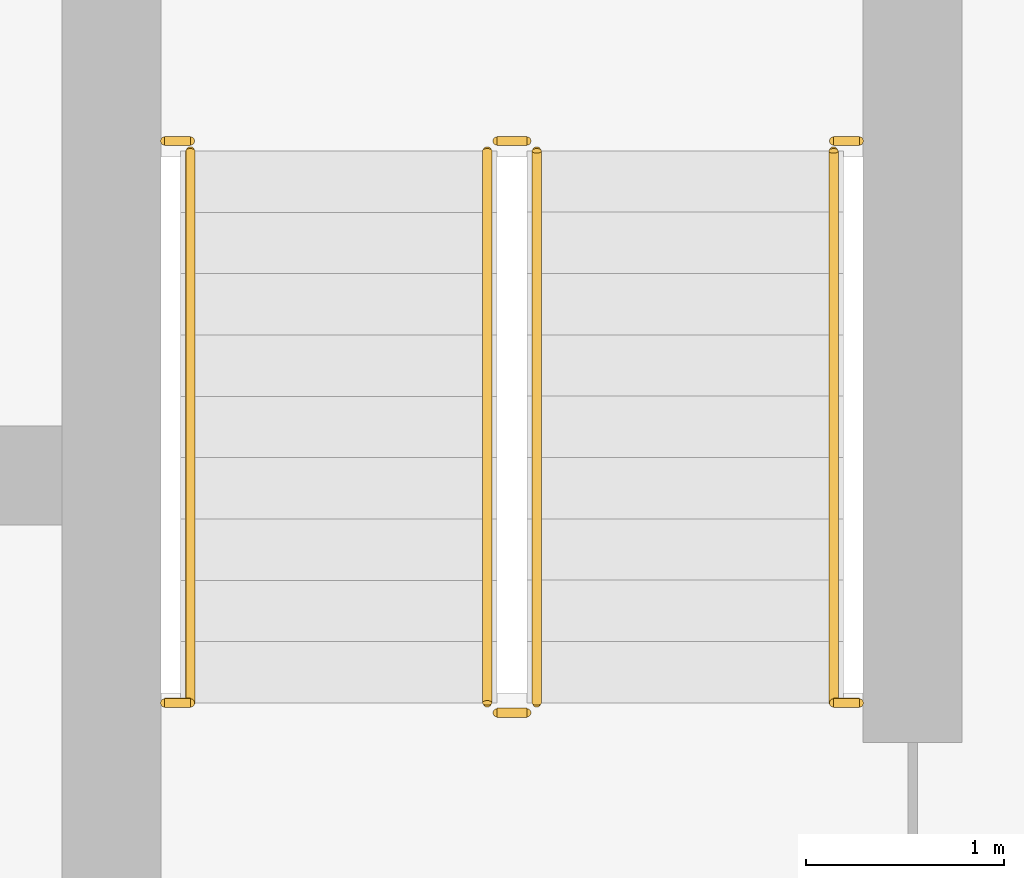
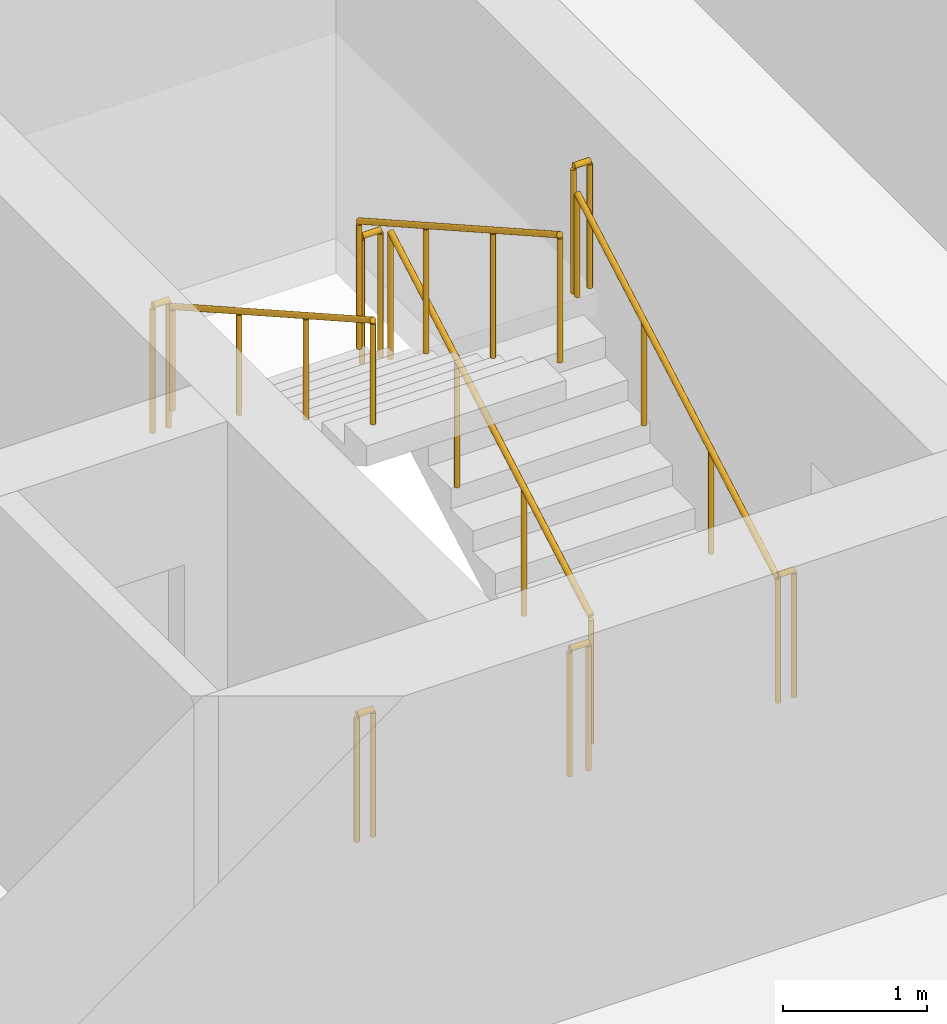
# One storey, part 20 of 22: 10 railings.
"""IFC4 building model written with IfcOpenShell, lengths in metres."""

from ifc_helpers import new_model, si_unit, direction, frame, origin, origin_2d, place, context, subcontext, project, spatial, circle, extrude, material, type_object, element, save


model = new_model("IFC4")

# Units and contexts
model_context = context("Model", 3, precision=1e-05, world=origin(), true_north=direction((0.0, 1.0)))
body_context = subcontext(model_context, "Body", "Model", "MODEL_VIEW")
ifc_project = project(units=[si_unit("LENGTHUNIT", "METRE"), si_unit("AREAUNIT", "SQUARE_METRE"), si_unit("VOLUMEUNIT", "CUBIC_METRE"), si_unit("PLANEANGLEUNIT", "RADIAN"), si_unit("MASSUNIT", "GRAM", prefix="KILO")], contexts=[model_context])

# Site, building, storey
site_placement = place(None, origin())
site = spatial("IfcSite", under=ifc_project, at=site_placement, CompositionType="ELEMENT")
building_placement = place(site_placement, origin())
building = spatial("IfcBuilding", under=site, at=building_placement, Name="Madar Terraces", CompositionType="ELEMENT")
storey_placement = place(building_placement, frame((0.0, 0.0, 182.39990234375)))
storey = spatial("IfcBuildingStorey", under=building, at=storey_placement, Name="L47", CompositionType="ELEMENT", Elevation=182.39990234375)

# Railings
ifc_material_1 = material(Name="Stainless steel railing", Category="steel")
railing_type_1 = type_object("IfcRailingType", Name="Stair guard 1100", PredefinedType="GUARDRAIL", material=ifc_material_1)
railing_1_placement = place(storey_placement, frame((41.449951171875, 17.60009765625, 0.175048828125)))
element("IfcRailing", 1, at=railing_1_placement, inside=storey, type_object=railing_type_1, Name="L47 ST3 stair guard 1", PredefinedType="GUARDRAIL", context=body_context, shape_type="SweptSolid", body=[
    extrude(circle(Radius=0.02392578125, at=origin_2d()), frame((0.0, 0.0, 1.076171875), z_axis=(0.0, 0.870815363784, 0.491610213684), x_axis=(-1.0, 0.0, 0.0)), (0.0, 0.0, 1.0), 3.20361328125),
    extrude(circle(Radius=0.02099609375, at=origin_2d()), origin(), (0.0, 0.0, 1.0), 1.052001953125),
    extrude(circle(Radius=0.02099609375, at=origin_2d()), frame((0.0, 0.929931640625, 0.52490234375)), (0.0, 0.0, 1.0), 1.052001953125),
    extrude(circle(Radius=0.02099609375, at=origin_2d()), frame((0.0, 1.85986328125, 1.050048828125)), (0.0, 0.0, 1.0), 1.052001953125),
    extrude(circle(Radius=0.02099609375, at=origin_2d()), frame((0.0, 2.789794921875, 1.574951171875)), (0.0, 0.0, 1.0), 1.052001953125),
])
railing_2_placement = place(storey_placement, frame((41.39990234375, 20.43994140625, 1.75)))
element("IfcRailing", 2, at=railing_2_placement, inside=storey, type_object=railing_type_1, Name="L47 ST3 stair guard 2", PredefinedType="GUARDRAIL", context=body_context, shape_type="SweptSolid", body=[
    extrude(circle(Radius=0.02392578125, at=origin_2d()), frame((0.0, 0.0, 1.076171875), z_axis=(-1.0, 0.0, 0.0), x_axis=(0.0, -1.0, 0.0)), (0.0, 0.0, 1.0), 0.14990234375),
    extrude(circle(Radius=0.02099609375, at=origin_2d()), origin(), (0.0, 0.0, 1.0), 1.052001953125),
    extrude(circle(Radius=0.02099609375, at=origin_2d()), frame((-0.14990234375, 0.0, 0.0)), (0.0, 0.0, 1.0), 1.052001953125),
])
railing_3_placement = place(storey_placement, frame((41.199951171875, 20.389892578125, 1.925048828125)))
element("IfcRailing", 3, at=railing_3_placement, inside=storey, type_object=railing_type_1, Name="L47 ST3 stair guard 3", PredefinedType="GUARDRAIL", context=body_context, shape_type="SweptSolid", body=[
    extrude(circle(Radius=0.02392578125, at=origin_2d()), frame((0.0, 0.0, 1.076171875), z_axis=(0.0, -0.870815363784, 0.491610213684), x_axis=(1.0, 0.0, 0.0)), (0.0, 0.0, 1.0), 3.20361328125),
    extrude(circle(Radius=0.02099609375, at=origin_2d()), origin(), (0.0, 0.0, 1.0), 1.052001953125),
    extrude(circle(Radius=0.02099609375, at=origin_2d()), frame((0.0, -0.929931640625, 0.52490234375)), (0.0, 0.0, 1.0), 1.052001953125),
    extrude(circle(Radius=0.02099609375, at=origin_2d()), frame((0.0, -1.85986328125, 1.050048828125)), (0.0, 0.0, 1.0), 1.052001953125),
    extrude(circle(Radius=0.02099609375, at=origin_2d()), frame((0.0, -2.789794921875, 1.574951171875)), (0.0, 0.0, 1.0), 1.052001953125),
])
railing_4_placement = place(storey_placement, frame((41.39990234375, 17.550048828125, 0.0)))
element("IfcRailing", 4, at=railing_4_placement, inside=storey, type_object=railing_type_1, Name="L47 ST3 stair guard 4", PredefinedType="GUARDRAIL", context=body_context, shape_type="SweptSolid", body=[
    extrude(circle(Radius=0.02392578125, at=origin_2d()), frame((0.0, 0.0, 1.076171875), z_axis=(-1.0, 0.0, 0.0), x_axis=(0.0, -1.0, 0.0)), (0.0, 0.0, 1.0), 0.14990234375),
    extrude(circle(Radius=0.02099609375, at=origin_2d()), origin(), (0.0, 0.0, 1.0), 1.052001953125),
    extrude(circle(Radius=0.02099609375, at=origin_2d()), frame((-0.14990234375, 0.0, 0.0)), (0.0, 0.0, 1.0), 1.052001953125),
])
railing_5_placement = place(storey_placement, frame((39.570068359375, 20.43994140625, 1.75)))
element("IfcRailing", 5, at=railing_5_placement, inside=storey, type_object=railing_type_1, Name="L47 stair guard seat 1", PredefinedType="GUARDRAIL", context=body_context, shape_type="SweptSolid", body=[
    extrude(circle(Radius=0.02392578125, at=origin_2d()), frame((0.0, 0.0, 1.076171875), z_axis=(1.0, 0.0, 0.0), x_axis=(0.0, 1.0, 0.0)), (0.0, 0.0, 1.0), 0.1298828125),
    extrude(circle(Radius=0.02099609375, at=origin_2d()), origin(), (0.0, 0.0, 1.0), 1.052001953125),
    extrude(circle(Radius=0.02099609375, at=origin_2d()), frame((0.1298828125, 0.0, 0.0)), (0.0, 0.0, 1.0), 1.052001953125),
])
railing_6_placement = place(storey_placement, frame((42.949951171875, 20.43994140625, 1.75)))
element("IfcRailing", 6, at=railing_6_placement, inside=storey, type_object=railing_type_1, Name="L47 stair guard seat 2", PredefinedType="GUARDRAIL", context=body_context, shape_type="SweptSolid", body=[
    extrude(circle(Radius=0.02392578125, at=origin_2d()), frame((0.0, 0.0, 1.076171875), z_axis=(1.0, 0.0, 0.0), x_axis=(0.0, 1.0, 0.0)), (0.0, 0.0, 1.0), 0.130126953125),
    extrude(circle(Radius=0.02099609375, at=origin_2d()), origin(), (0.0, 0.0, 1.0), 1.052001953125),
    extrude(circle(Radius=0.02099609375, at=origin_2d()), frame((0.130126953125, 0.0, 0.0)), (0.0, 0.0, 1.0), 1.052001953125),
])
railing_7_placement = place(storey_placement, frame((39.570068359375, 17.60009765625, 0.0)))
element("IfcRailing", 7, at=railing_7_placement, inside=storey, type_object=railing_type_1, Name="L47 stair guard floor 1", PredefinedType="GUARDRAIL", context=body_context, shape_type="SweptSolid", body=[
    extrude(circle(Radius=0.02392578125, at=origin_2d()), frame((0.0, 0.0, 1.076171875), z_axis=(1.0, 0.0, 0.0), x_axis=(0.0, 1.0, 0.0)), (0.0, 0.0, 1.0), 0.1298828125),
    extrude(circle(Radius=0.02099609375, at=origin_2d()), origin(), (0.0, 0.0, 1.0), 1.052001953125),
    extrude(circle(Radius=0.02099609375, at=origin_2d()), frame((0.1298828125, 0.0, 0.0)), (0.0, 0.0, 1.0), 1.052001953125),
])
railing_8_placement = place(storey_placement, frame((42.949951171875, 17.60009765625, 0.0)))
element("IfcRailing", 8, at=railing_8_placement, inside=storey, type_object=railing_type_1, Name="L47 stair guard floor 2", PredefinedType="GUARDRAIL", context=body_context, shape_type="SweptSolid", body=[
    extrude(circle(Radius=0.02392578125, at=origin_2d()), frame((0.0, 0.0, 1.076171875), z_axis=(1.0, 0.0, 0.0), x_axis=(0.0, 1.0, 0.0)), (0.0, 0.0, 1.0), 0.130126953125),
    extrude(circle(Radius=0.02099609375, at=origin_2d()), origin(), (0.0, 0.0, 1.0), 1.052001953125),
    extrude(circle(Radius=0.02099609375, at=origin_2d()), frame((0.130126953125, 0.0, 0.0)), (0.0, 0.0, 1.0), 1.052001953125),
])
ifc_material_2 = material(Name="Stainless steel railing", Category="steel")
railing_type_2 = type_object("IfcRailingType", Name="Stair handrail 900", PredefinedType="HANDRAIL", material=ifc_material_2)
railing_9_placement = place(storey_placement, frame((42.949951171875, 17.60009765625, 0.175048828125)))
element("IfcRailing", 9, at=railing_9_placement, inside=storey, type_object=railing_type_2, Name="L47 ST3 stair handrail 1", PredefinedType="HANDRAIL", context=body_context, shape_type="SweptSolid", body=[
    extrude(circle(Radius=0.02392578125, at=origin_2d()), frame((0.0, 0.0, 0.8759765625), z_axis=(0.0, 0.870815363784, 0.491610213684), x_axis=(-1.0, 0.0, 0.0)), (0.0, 0.0, 1.0), 3.20361328125),
    extrude(circle(Radius=0.02099609375, at=origin_2d()), origin(), (0.0, 0.0, 1.0), 0.851806640625),
    extrude(circle(Radius=0.02099609375, at=origin_2d()), frame((0.0, 0.929931640625, 0.52490234375)), (0.0, 0.0, 1.0), 0.851806640625),
    extrude(circle(Radius=0.02099609375, at=origin_2d()), frame((0.0, 1.85986328125, 1.050048828125)), (0.0, 0.0, 1.0), 0.851806640625),
    extrude(circle(Radius=0.02099609375, at=origin_2d()), frame((0.0, 2.789794921875, 1.574951171875)), (0.0, 0.0, 1.0), 0.851806640625),
])
railing_10_placement = place(storey_placement, frame((39.699951171875, 20.389892578125, 1.925048828125)))
element("IfcRailing", 10, at=railing_10_placement, inside=storey, type_object=railing_type_2, Name="L47 ST3 stair handrail 2", PredefinedType="HANDRAIL", context=body_context, shape_type="SweptSolid", body=[
    extrude(circle(Radius=0.02392578125, at=origin_2d()), frame((0.0, 0.0, 0.8759765625), z_axis=(0.0, -0.870815363784, 0.491610213684), x_axis=(1.0, 0.0, 0.0)), (0.0, 0.0, 1.0), 3.20361328125),
    extrude(circle(Radius=0.02099609375, at=origin_2d()), origin(), (0.0, 0.0, 1.0), 0.851806640625),
    extrude(circle(Radius=0.02099609375, at=origin_2d()), frame((0.0, -0.929931640625, 0.52490234375)), (0.0, 0.0, 1.0), 0.851806640625),
    extrude(circle(Radius=0.02099609375, at=origin_2d()), frame((0.0, -1.85986328125, 1.050048828125)), (0.0, 0.0, 1.0), 0.851806640625),
    extrude(circle(Radius=0.02099609375, at=origin_2d()), frame((0.0, -2.789794921875, 1.574951171875)), (0.0, 0.0, 1.0), 0.851806640625),
])

save(model, "model.ifc")
